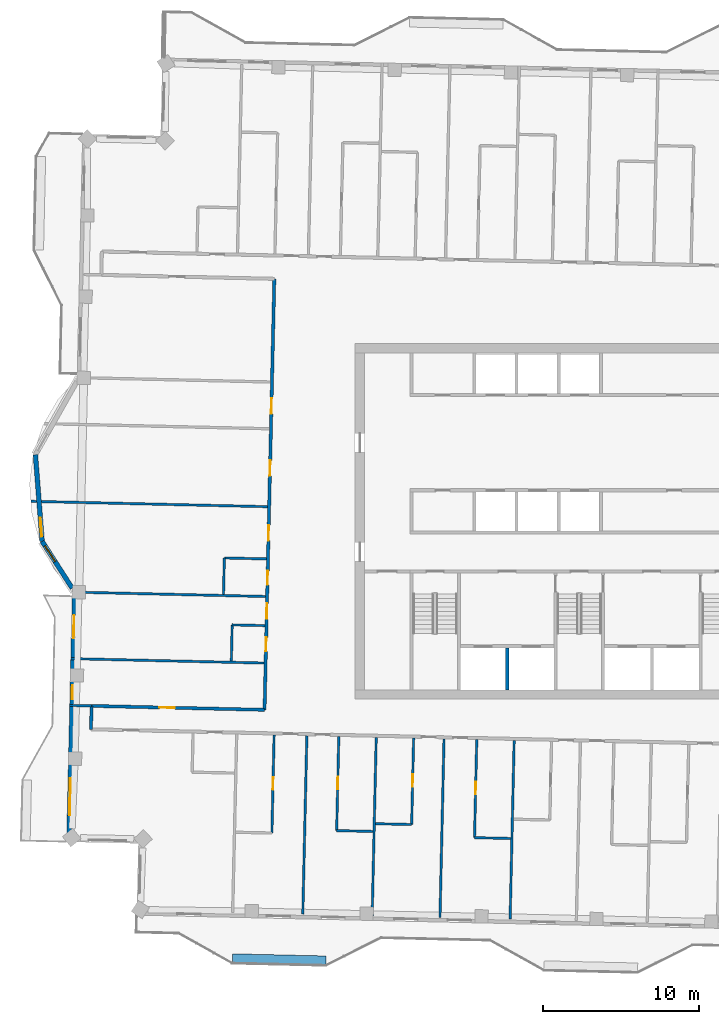
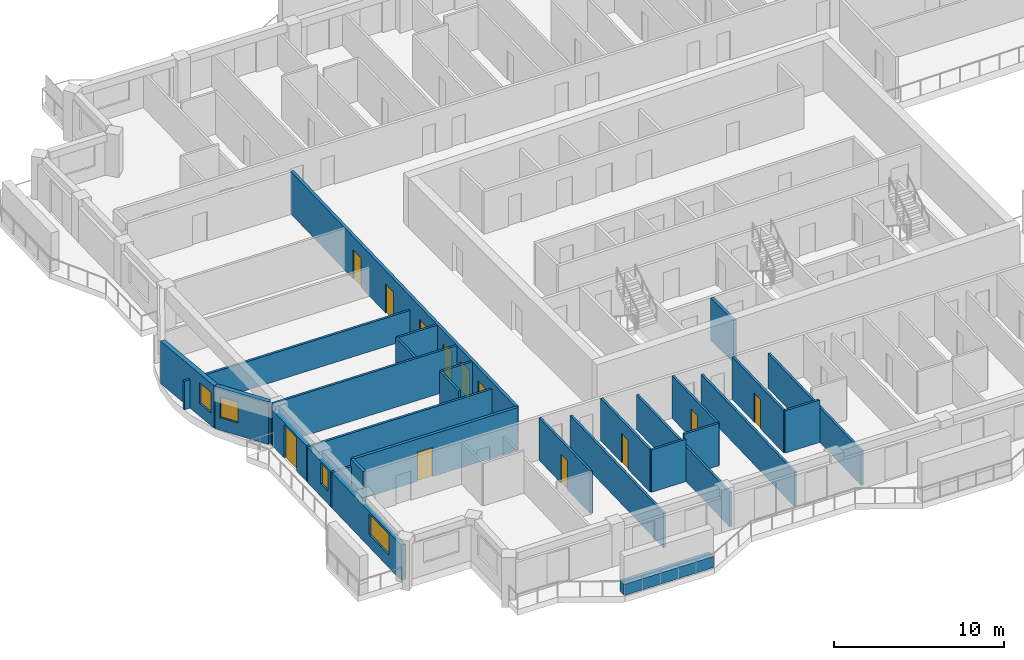
# One storey, part 4 of 15: 27 walls, 12 doors, 4 windows, 16 openings.
"""IFC4 building model written with IfcOpenShell, lengths in metres."""

from ifc_helpers import new_model, si_unit, direction, frame, frame_2d, origin, place, context, subcontext, project, spatial, rectangle, extrude, material, layer, layer_set, type_object, element, fill, save


model = new_model("IFC4")

# Units and contexts
model_context = context("Model", 3, precision=1e-05, world=origin(), true_north=direction((0.0, 1.0)))
body_context = subcontext(model_context, "Body", "Model", "MODEL_VIEW")
ifc_project = project(units=[si_unit("LENGTHUNIT", "METRE"), si_unit("AREAUNIT", "SQUARE_METRE"), si_unit("VOLUMEUNIT", "CUBIC_METRE"), si_unit("PLANEANGLEUNIT", "RADIAN"), si_unit("MASSUNIT", "GRAM", prefix="KILO")], contexts=[model_context])

# Site, building, storey
site_placement = place(None, origin())
site = spatial("IfcSite", under=ifc_project, at=site_placement, CompositionType="ELEMENT")
building_placement = place(site_placement, origin())
building = spatial("IfcBuilding", under=site, at=building_placement, Name="Mangrove Gate Tower", CompositionType="ELEMENT")
storey_placement = place(building_placement, frame((0.0, 0.0, 316.89990234375)))
storey = spatial("IfcBuildingStorey", under=building, at=storey_placement, Name="L81", CompositionType="ELEMENT", Elevation=316.89990234375)

# Walls
ifc_material_1 = material(Name="Concrete C50/60", Category="concrete")
ifc_layer_1 = layer(ifc_material_1, 0.199951171875)
ifc_layer_set_1 = layer_set([ifc_layer_1], Name="Core shaft wall 200 C50/60")
wall_type_1 = type_object("IfcWallType", Name="Core shaft wall 200 C50/60", PredefinedType="SHEAR", material=ifc_layer_set_1)
wall_1_placement = place(storey_placement, frame((-4.64990234375, -10.800048828125, 0.0), z_axis=(0.0, 0.0, 1.0), x_axis=(0.0, 1.0, 0.0)))
element("IfcWall", 1, at=wall_1_placement, inside=storey, type_object=wall_type_1, Name="WALL-L81-CORE-16", PredefinedType="SHEAR", context=body_context, shape_type="SweptSolid", body=[
    extrude(rectangle(XDim=2.699951171875, YDim=0.199951171875, at=frame_2d((1.35009765625, 0.0))), origin(), (0.0, 0.0, 1.0), 3.050048828125),
])
ifc_material_2 = material(Name="Gypsum board on steel stud, EI 60", Category="steel")
ifc_layer_2 = layer(ifc_material_2, 0.199951171875)
ifc_layer_set_2 = layer_set([ifc_layer_2], Name="Corridor wall EI 60")
wall_type_2 = type_object("IfcWallType", Name="Corridor wall EI 60", PredefinedType="PARTITIONING", material=ifc_layer_set_2)
wall_2_placement = place(storey_placement, frame((-31.346923828125, -13.3291015625, 0.0), z_axis=(0.0, 0.0, 1.0), x_axis=(0.022617910375, 0.999744182344, 0.0)))
element("IfcWall", 2, at=wall_2_placement, inside=storey, type_object=wall_type_2, Name="WALL-L81-032", PredefinedType="PARTITIONING", context=body_context, shape_type="SweptSolid", body=[
    extrude(rectangle(XDim=1.50048828125, YDim=0.199951171875, at=frame_2d((0.750244140625, 0.0))), origin(), (0.0, 0.0, 1.0), 3.050048828125),
])

# Wall, opening, door
wall_3_placement = place(storey_placement, frame((-31.31298828125, -11.8291015625, 0.0), z_axis=(0.0, 0.0, 1.0), x_axis=(0.999742346277, -0.022698921993, 0.0)))
wall_3 = element("IfcWall", 3, at=wall_3_placement, inside=storey, type_object=wall_type_2, Name="WALL-L81-035", PredefinedType="PARTITIONING", context=body_context, shape_type="SweptSolid", body=[
    extrude(rectangle(XDim=11.099853515625, YDim=0.199951171875, at=frame_2d((5.5498046875, 0.0))), origin(), (0.0, 0.0, 1.0), 3.050048828125),
])
opening_1_placement = place(wall_3_placement, frame((4.35009765625, 0.0, 0.0)))
opening_1 = element("IfcOpeningElement", 4, at=opening_1_placement, cuts=wall_3, Name="Opening AD", PredefinedType="OPENING", context=body_context, shape_type="SweptSolid", body=[
    extrude(rectangle(XDim=1.0, YDim=2.10009765625, at=frame_2d((0.5, 1.050048828125))), frame((0.0, 0.10986328125, 0.0), z_axis=(0.0, -1.0, 0.0), x_axis=(1.0, 0.0, 0.0)), (0.0, 0.0, 1.0), 0.219970703125),
])
ifc_material_3 = material(Name="Timber door leaf", Category="wood")
door_type_1 = type_object("IfcDoorType", Name="Amenity door 1000", OperationType="SINGLE_SWING_LEFT", PredefinedType="DOOR", material=ifc_material_3)
door_1_placement = place(opening_1_placement, origin())
door_1 = element("IfcDoor", 5, at=door_1_placement, inside=storey, type_object=door_type_1, Name="DOOR-L81-STU-c5b", OperationType="SINGLE_SWING_RIGHT", OverallHeight=2.10009765625, OverallWidth=1.0, PredefinedType="DOOR", context=body_context, shape_type="SweptSolid", body=[
    extrude(rectangle(XDim=1.0, YDim=2.10009765625, at=frame_2d((0.5, 1.050048828125))), frame((0.0, 0.02490234375, 0.0), z_axis=(0.0, -1.0, 0.0), x_axis=(1.0, 0.0, 0.0)), (0.0, 0.0, 1.0), 0.050048828125),
])
fill(opening_1, door_1)

# Wall, openings, doors
wall_4_placement = place(storey_placement, frame((-20.216064453125, -12.0810546875, 0.0), z_axis=(0.0, 0.0, 1.0), x_axis=(0.02267447203, 0.999742901109, 0.0)))
wall_4 = element("IfcWall", 6, at=wall_4_placement, inside=storey, type_object=wall_type_2, Name="WALL-L81-036", PredefinedType="PARTITIONING", context=body_context, shape_type="SweptSolid", body=[
    extrude(rectangle(XDim=27.650146484375, YDim=0.199951171875, at=frame_2d((13.8251953125, 0.0))), origin(), (0.0, 0.0, 1.0), 3.050048828125),
])
opening_2_placement = place(wall_4_placement, frame((18.987060546875, 0.0, 0.0)))
opening_2 = element("IfcOpeningElement", 7, at=opening_2_placement, cuts=wall_4, Name="Opening AD", PredefinedType="OPENING", context=body_context, shape_type="SweptSolid", body=[
    extrude(rectangle(XDim=1.0, YDim=2.10009765625, at=frame_2d((0.5, 1.050048828125))), frame((0.0, 0.10986328125, 0.0), z_axis=(0.0, -1.0, 0.0), x_axis=(1.0, 0.0, 0.0)), (0.0, 0.0, 1.0), 0.219970703125),
])
opening_3_placement = place(wall_4_placement, frame((15.0048828125, 0.0, 0.0)))
opening_3 = element("IfcOpeningElement", 8, at=opening_3_placement, cuts=wall_4, Name="Opening AD", PredefinedType="OPENING", context=body_context, shape_type="SweptSolid", body=[
    extrude(rectangle(XDim=1.0, YDim=2.10009765625, at=frame_2d((0.5, 1.050048828125))), frame((0.0, 0.10986328125, 0.0), z_axis=(0.0, -1.0, 0.0), x_axis=(1.0, 0.0, 0.0)), (0.0, 0.0, 1.0), 0.219970703125),
])
opening_4_placement = place(wall_4_placement, frame((10.85009765625, 0.0, 0.0)))
opening_4 = element("IfcOpeningElement", 9, at=opening_4_placement, cuts=wall_4, Name="Opening AD", PredefinedType="OPENING", context=body_context, shape_type="SweptSolid", body=[
    extrude(rectangle(XDim=1.0, YDim=2.10009765625, at=frame_2d((0.5, 1.050048828125))), frame((0.0, 0.10986328125, 0.0), z_axis=(0.0, -1.0, 0.0), x_axis=(1.0, 0.0, 0.0)), (0.0, 0.0, 1.0), 0.219970703125),
])
opening_5_placement = place(wall_4_placement, frame((8.02490234375, 0.0, 0.0)))
opening_5 = element("IfcOpeningElement", 10, at=opening_5_placement, cuts=wall_4, Name="Opening SD", PredefinedType="OPENING", context=body_context, shape_type="SweptSolid", body=[
    extrude(rectangle(XDim=0.89990234375, YDim=2.10009765625, at=frame_2d((0.449951171875, 1.050048828125))), frame((0.0, 0.10986328125, 0.0), z_axis=(0.0, -1.0, 0.0), x_axis=(1.0, 0.0, 0.0)), (0.0, 0.0, 1.0), 0.219970703125),
])
opening_6_placement = place(wall_4_placement, frame((5.8369140625, 0.0, 0.0)))
opening_6 = element("IfcOpeningElement", 11, at=opening_6_placement, cuts=wall_4, Name="Opening AD", PredefinedType="OPENING", context=body_context, shape_type="SweptSolid", body=[
    extrude(rectangle(XDim=1.0, YDim=2.10009765625, at=frame_2d((0.5, 1.050048828125))), frame((0.0, 0.10986328125, 0.0), z_axis=(0.0, -1.0, 0.0), x_axis=(1.0, 0.0, 0.0)), (0.0, 0.0, 1.0), 0.219970703125),
])
opening_7_placement = place(wall_4_placement, frame((3.75, 0.0, 0.0)))
opening_7 = element("IfcOpeningElement", 12, at=opening_7_placement, cuts=wall_4, Name="Opening SD", PredefinedType="OPENING", context=body_context, shape_type="SweptSolid", body=[
    extrude(rectangle(XDim=0.89990234375, YDim=2.10009765625, at=frame_2d((0.449951171875, 1.050048828125))), frame((0.0, 0.10986328125, 0.0), z_axis=(0.0, -1.0, 0.0), x_axis=(1.0, 0.0, 0.0)), (0.0, 0.0, 1.0), 0.219970703125),
])
door_2_placement = place(opening_2_placement, origin())
door_2 = element("IfcDoor", 13, at=door_2_placement, inside=storey, type_object=door_type_1, Name="DOOR-L81-STU-c5a", OperationType="SINGLE_SWING_RIGHT", OverallHeight=2.10009765625, OverallWidth=1.0, PredefinedType="DOOR", context=body_context, shape_type="SweptSolid", body=[
    extrude(rectangle(XDim=1.0, YDim=2.10009765625, at=frame_2d((0.5, 1.050048828125))), frame((0.0, 0.02490234375, 0.0), z_axis=(0.0, -1.0, 0.0), x_axis=(1.0, 0.0, 0.0)), (0.0, 0.0, 1.0), 0.050048828125),
])
fill(opening_2, door_2)
door_3_placement = place(opening_3_placement, origin())
door_3 = element("IfcDoor", 14, at=door_3_placement, inside=storey, type_object=door_type_1, Name="DOOR-L81-GAM-c5a", OperationType="SINGLE_SWING_LEFT", OverallHeight=2.10009765625, OverallWidth=1.0, PredefinedType="DOOR", context=body_context, shape_type="SweptSolid", body=[
    extrude(rectangle(XDim=1.0, YDim=2.10009765625, at=frame_2d((0.5, 1.050048828125))), frame((0.0, 0.02490234375, 0.0), z_axis=(0.0, -1.0, 0.0), x_axis=(1.0, 0.0, 0.0)), (0.0, 0.0, 1.0), 0.050048828125),
])
fill(opening_3, door_3)
door_4_placement = place(opening_4_placement, origin())
door_4 = element("IfcDoor", 15, at=door_4_placement, inside=storey, type_object=door_type_1, Name="DOOR-L81-GAM-c5b", OperationType="SINGLE_SWING_RIGHT", OverallHeight=2.10009765625, OverallWidth=1.0, PredefinedType="DOOR", context=body_context, shape_type="SweptSolid", body=[
    extrude(rectangle(XDim=1.0, YDim=2.10009765625, at=frame_2d((0.5, 1.050048828125))), frame((0.0, 0.02490234375, 0.0), z_axis=(0.0, -1.0, 0.0), x_axis=(1.0, 0.0, 0.0)), (0.0, 0.0, 1.0), 0.050048828125),
])
fill(opening_4, door_4)
door_5_placement = place(opening_6_placement, origin())
door_5 = element("IfcDoor", 16, at=door_5_placement, inside=storey, type_object=door_type_1, Name="DOOR-L81-LNG-c5c", OperationType="SINGLE_SWING_LEFT", OverallHeight=2.10009765625, OverallWidth=1.0, PredefinedType="DOOR", context=body_context, shape_type="SweptSolid", body=[
    extrude(rectangle(XDim=1.0, YDim=2.10009765625, at=frame_2d((0.5, 1.050048828125))), frame((0.0, 0.02490234375, 0.0), z_axis=(0.0, -1.0, 0.0), x_axis=(1.0, 0.0, 0.0)), (0.0, 0.0, 1.0), 0.050048828125),
])
fill(opening_6, door_5)
ifc_material_4 = material(Name="Timber door leaf", Category="wood")
door_type_2 = type_object("IfcDoorType", Name="Service room door 900", OperationType="SINGLE_SWING_LEFT", PredefinedType="DOOR", material=ifc_material_4)
door_6_placement = place(opening_5_placement, origin())
door_6 = element("IfcDoor", 17, at=door_6_placement, inside=storey, type_object=door_type_2, Name="DOOR-L81-WC-c5a", OperationType="SINGLE_SWING_LEFT", OverallHeight=2.10009765625, OverallWidth=0.89990234375, PredefinedType="DOOR", context=body_context, shape_type="SweptSolid", body=[
    extrude(rectangle(XDim=0.89990234375, YDim=2.10009765625, at=frame_2d((0.449951171875, 1.050048828125))), frame((0.0, 0.02490234375, 0.0), z_axis=(0.0, -1.0, 0.0), x_axis=(1.0, 0.0, 0.0)), (0.0, 0.0, 1.0), 0.050048828125),
])
fill(opening_5, door_6)
door_7_placement = place(opening_7_placement, origin())
door_7 = element("IfcDoor", 18, at=door_7_placement, inside=storey, type_object=door_type_2, Name="DOOR-L81-LIN-c5a", OperationType="SINGLE_SWING_RIGHT", OverallHeight=2.10009765625, OverallWidth=0.89990234375, PredefinedType="DOOR", context=body_context, shape_type="SweptSolid", body=[
    extrude(rectangle(XDim=0.89990234375, YDim=2.10009765625, at=frame_2d((0.449951171875, 1.050048828125))), frame((0.0, 0.02490234375, 0.0), z_axis=(0.0, -1.0, 0.0), x_axis=(1.0, 0.0, 0.0)), (0.0, 0.0, 1.0), 0.050048828125),
])
fill(opening_7, door_7)

# Wall, opening, window
ifc_material_5 = material(Name="Limestone", Category="masonry")
ifc_layer_3 = layer(ifc_material_5, 0.0400390625, Name="Limestone cladding")
ifc_material_6 = material(Name="Ventilated air gap")
ifc_layer_4 = layer(ifc_material_6, 0.0400390625, Name="Ventilated cavity")
ifc_material_7 = material(Name="Mineral wool insulation")
ifc_layer_5 = layer(ifc_material_7, 0.06005859375, Name="Insulation")
ifc_material_8 = material(Name="Breather membrane")
ifc_layer_6 = layer(ifc_material_8, 0.001953125, Name="Breather membrane")
ifc_material_9 = material(Name="Concrete C20/25 blockwork", Category="masonry")
ifc_layer_7 = layer(ifc_material_9, 0.14990234375, Name="Blockwork backing wall")
ifc_material_10 = material(Name="Gypsum plaster")
ifc_layer_8 = layer(ifc_material_10, 0.008056640625, Name="Internal plaster")
ifc_layer_set_3 = layer_set([ifc_layer_3, ifc_layer_4, ifc_layer_5, ifc_layer_6, ifc_layer_7, ifc_layer_8], Name="External wall 300 limestone cladding")
wall_type_3 = type_object("IfcWallType", Name="External wall 300 limestone cladding", PredefinedType="SOLIDWALL", material=ifc_layer_set_3)
wall_5_placement = place(storey_placement, frame((-34.910888671875, 4.280029296875, 0.0), z_axis=(0.0, 0.0, 1.0), x_axis=(0.077135284219, -0.997020635658, 0.0)))
wall_5 = element("IfcWall", 19, at=wall_5_placement, inside=storey, type_object=wall_type_3, Name="WALL-L81-W9f2", PredefinedType="SOLIDWALL", context=body_context, shape_type="SweptSolid", body=[
    extrude(rectangle(XDim=5.57373046875, YDim=0.300048828125, at=frame_2d((2.786865234375, 0.0))), origin(), (0.0, 0.0, 1.0), 3.050048828125),
])
opening_8_placement = place(wall_5_placement, frame((4.05810546875, 0.0, 0.89990234375)))
opening_8 = element("IfcOpeningElement", 20, at=opening_8_placement, cuts=wall_5, Name="Opening W1", PredefinedType="OPENING", context=body_context, shape_type="SweptSolid", body=[
    extrude(rectangle(XDim=1.199951171875, YDim=1.5, at=frame_2d((0.60009765625, 0.75))), frame((0.0, 0.159912109375, 0.0), z_axis=(0.0, -1.0, 0.0), x_axis=(1.0, 0.0, 0.0)), (0.0, 0.0, 1.0), 0.320068359375),
])
ifc_material_11 = material(Name="Aluminium frame with double-glazed low-e glass", Category="aluminium")
window_type_1 = type_object("IfcWindowType", Name="Side lite 1200x1500", PartitioningType="SINGLE_PANEL", PredefinedType="WINDOW", material=ifc_material_11)
window_1_placement = place(opening_8_placement, origin())
window_1 = element("IfcWindow", 21, at=window_1_placement, inside=storey, type_object=window_type_1, Name="WIN-L81-W9f2", OverallHeight=1.5, OverallWidth=1.199951171875, PartitioningType="SINGLE_PANEL", PredefinedType="WINDOW", context=body_context, shape_type="SweptSolid", body=[
    extrude(rectangle(XDim=1.199951171875, YDim=1.5, at=frame_2d((0.60009765625, 0.75))), frame((0.0, 0.030029296875, 0.0), z_axis=(0.0, -1.0, 0.0), x_axis=(1.0, 0.0, 0.0)), (0.0, 0.0, 1.0), 0.06005859375),
])
fill(opening_8, window_1)

wall_6_placement = place(storey_placement, frame((-34.48095703125, -1.277099609375, 0.0), z_axis=(0.0, 0.0, 1.0), x_axis=(0.540460234606, -0.841369558999, 0.0)))
wall_6 = element("IfcWall", 22, at=wall_6_placement, inside=storey, type_object=wall_type_3, Name="WALL-L81-W9f3", PredefinedType="SOLIDWALL", context=body_context, shape_type="SweptSolid", body=[
    extrude(rectangle(XDim=3.569091796875, YDim=0.300048828125, at=frame_2d((1.78466796875, 0.0))), origin(), (0.0, 0.0, 1.0), 3.050048828125),
])
opening_9_placement = place(wall_6_placement, frame((0.337890625, 0.0, 0.89990234375)))
opening_9 = element("IfcOpeningElement", 23, at=opening_9_placement, cuts=wall_6, Name="Opening W1", PredefinedType="OPENING", context=body_context, shape_type="SweptSolid", body=[
    extrude(rectangle(XDim=1.199951171875, YDim=1.5, at=frame_2d((0.60009765625, 0.75))), frame((0.0, 0.159912109375, 0.0), z_axis=(0.0, -1.0, 0.0), x_axis=(1.0, 0.0, 0.0)), (0.0, 0.0, 1.0), 0.320068359375),
])
window_2_placement = place(opening_9_placement, origin())
window_2 = element("IfcWindow", 24, at=window_2_placement, inside=storey, type_object=window_type_1, Name="WIN-L81-W9f3", OverallHeight=1.5, OverallWidth=1.199951171875, PartitioningType="SINGLE_PANEL", PredefinedType="WINDOW", context=body_context, shape_type="SweptSolid", body=[
    extrude(rectangle(XDim=1.199951171875, YDim=1.5, at=frame_2d((0.60009765625, 0.75))), frame((0.0, 0.030029296875, 0.0), z_axis=(0.0, -1.0, 0.0), x_axis=(1.0, 0.0, 0.0)), (0.0, 0.0, 1.0), 0.06005859375),
])
fill(opening_9, window_2)

# Wall, openings, door, windows
wall_7_placement = place(storey_placement, frame((-32.387939453125, -4.10400390625, 0.0), z_axis=(0.0, 0.0, 1.0), x_axis=(-0.02270779533, -0.999742144771, 0.0)))
wall_7 = element("IfcWall", 25, at=wall_7_placement, inside=storey, type_object=wall_type_3, Name="WALL-L81-W10s1", PredefinedType="SOLIDWALL", context=body_context, shape_type="SweptSolid", body=[
    extrude(rectangle(XDim=16.299072265625, YDim=0.300048828125, at=frame_2d((8.1494140625, 0.0))), origin(), (0.0, 0.0, 1.0), 2.550048828125),
])
opening_10_placement = place(wall_7_placement, frame((1.89990234375, 0.0, 0.0)))
opening_10 = element("IfcOpeningElement", 26, at=opening_10_placement, cuts=wall_7, Name="Opening BD1", PredefinedType="OPENING", context=body_context, shape_type="SweptSolid", body=[
    extrude(rectangle(XDim=1.5, YDim=2.39990234375, at=frame_2d((0.75, 1.199951171875))), frame((0.0, 0.159912109375, 0.0), z_axis=(0.0, -1.0, 0.0), x_axis=(1.0, 0.0, 0.0)), (0.0, 0.0, 1.0), 0.320068359375),
])
opening_11_placement = place(wall_7_placement, frame((6.39599609375, 0.0, 0.89990234375)))
opening_11 = element("IfcOpeningElement", 27, at=opening_11_placement, cuts=wall_7, Name="Opening W5", PredefinedType="OPENING", context=body_context, shape_type="SweptSolid", body=[
    extrude(rectangle(XDim=0.89990234375, YDim=1.5, at=frame_2d((0.449951171875, 0.75))), frame((0.0, 0.159912109375, 0.0), z_axis=(0.0, -1.0, 0.0), x_axis=(1.0, 0.0, 0.0)), (0.0, 0.0, 1.0), 0.320068359375),
])
opening_12_placement = place(wall_7_placement, frame((12.35302734375, 0.0, 0.89990234375)))
opening_12 = element("IfcOpeningElement", 28, at=opening_12_placement, cuts=wall_7, Name="Opening W2", PredefinedType="OPENING", context=body_context, shape_type="SweptSolid", body=[
    extrude(rectangle(XDim=2.39990234375, YDim=1.5, at=frame_2d((1.199951171875, 0.75))), frame((0.0, 0.159912109375, 0.0), z_axis=(0.0, -1.0, 0.0), x_axis=(1.0, 0.0, 0.0)), (0.0, 0.0, 1.0), 0.320068359375),
])
ifc_material_12 = material(Name="Aluminium frame with laminated clear glass", Category="aluminium")
door_type_3 = type_object("IfcDoorType", Name="Balcony sliding door 1500x2400", OperationType="SLIDING_TO_LEFT", PredefinedType="DOOR", material=ifc_material_12)
door_8_placement = place(opening_10_placement, origin())
door_8 = element("IfcDoor", 29, at=door_8_placement, inside=storey, type_object=door_type_3, Name="DOOR-L81-W10-1", OperationType="SLIDING_TO_LEFT", OverallHeight=2.39990234375, OverallWidth=1.5, PredefinedType="DOOR", context=body_context, shape_type="SweptSolid", body=[
    extrude(rectangle(XDim=1.5, YDim=2.39990234375, at=frame_2d((0.75, 1.199951171875))), frame((0.0, 0.02490234375, 0.0), z_axis=(0.0, -1.0, 0.0), x_axis=(1.0, 0.0, 0.0)), (0.0, 0.0, 1.0), 0.050048828125),
])
fill(opening_10, door_8)
ifc_material_13 = material(Name="Aluminium frame with double-glazed low-e glass", Category="aluminium")
window_type_2 = type_object("IfcWindowType", Name="Corner room window 2400x1500", PartitioningType="DOUBLE_PANEL_VERTICAL", PredefinedType="WINDOW", material=ifc_material_13)
window_3_placement = place(opening_12_placement, origin())
window_3 = element("IfcWindow", 30, at=window_3_placement, inside=storey, type_object=window_type_2, Name="WIN-L81-W10-3", OverallHeight=1.5, OverallWidth=2.39990234375, PartitioningType="DOUBLE_PANEL_VERTICAL", PredefinedType="WINDOW", context=body_context, shape_type="SweptSolid", body=[
    extrude(rectangle(XDim=2.39990234375, YDim=1.5, at=frame_2d((1.199951171875, 0.75))), frame((0.0, 0.030029296875, 0.0), z_axis=(0.0, -1.0, 0.0), x_axis=(1.0, 0.0, 0.0)), (0.0, 0.0, 1.0), 0.06005859375),
])
fill(opening_12, window_3)
ifc_material_14 = material(Name="Aluminium frame with double-glazed low-e glass", Category="aluminium")
window_type_3 = type_object("IfcWindowType", Name="Narrow window 900x1500", PartitioningType="SINGLE_PANEL", PredefinedType="WINDOW", material=ifc_material_14)
window_4_placement = place(opening_11_placement, origin())
window_4 = element("IfcWindow", 31, at=window_4_placement, inside=storey, type_object=window_type_3, Name="WIN-L81-W10-2", OverallHeight=1.5, OverallWidth=0.89990234375, PartitioningType="SINGLE_PANEL", PredefinedType="WINDOW", context=body_context, shape_type="SweptSolid", body=[
    extrude(rectangle(XDim=0.89990234375, YDim=1.5, at=frame_2d((0.449951171875, 0.75))), frame((0.0, 0.030029296875, 0.0), z_axis=(0.0, -1.0, 0.0), x_axis=(1.0, 0.0, 0.0)), (0.0, 0.0, 1.0), 0.06005859375),
])
fill(opening_11, window_4)

# Walls
ifc_material_15 = material(Name="Gypsum board on steel stud, EI 60", Category="steel")
ifc_layer_9 = layer(ifc_material_15, 0.14990234375)
ifc_layer_set_4 = layer_set([ifc_layer_9], Name="Party wall 150 EI 60")
wall_type_4 = type_object("IfcWallType", Name="Party wall 150 EI 60", PredefinedType="PARTITIONING", material=ifc_layer_set_4)
for number, where, z_axis, x_axis, name in (
    (32, (-17.762939453125, -25.18994140625, 0.0), (0.0, 0.0, 1.0), (0.022708327922, 0.999742132674, 0.0), "WALL-L81-002"),
    (33, (-13.31396484375, -25.291015625, 0.0), (0.0, 0.0, 1.0), (0.022708327922, 0.999742132674, 0.0), "WALL-L81-003"),
):
    element("IfcWall", number, at=place(storey_placement, frame(where, z_axis=z_axis, x_axis=x_axis)), inside=storey, type_object=wall_type_4, Name=name, PredefinedType="PARTITIONING", context=body_context, shape_type="SweptSolid", body=[
        extrude(rectangle(XDim=11.449951171875, YDim=0.14990234375, at=frame_2d((5.72509765625, 0.0))), origin(), (0.0, 0.0, 1.0), 2.5),
    ])
wall_8_placement = place(storey_placement, frame((-8.965087890625, -25.389892578125, 0.0), z_axis=(0.0, 0.0, 1.0), x_axis=(0.022623564427, 0.999744054412, 0.0)))
element("IfcWall", 34, at=wall_8_placement, inside=storey, type_object=wall_type_4, Name="WALL-L81-004", PredefinedType="PARTITIONING", context=body_context, shape_type="SweptSolid", body=[
    extrude(rectangle(XDim=11.44970703125, YDim=0.14990234375, at=frame_2d((5.724853515625, 0.0))), origin(), (0.0, 0.0, 1.0), 2.5),
])
wall_9_placement = place(storey_placement, frame((-4.467041015625, -25.491943359375, 0.0), z_axis=(0.0, 0.0, 1.0), x_axis=(0.022708327922, 0.999742132674, 0.0)))
element("IfcWall", 35, at=wall_9_placement, inside=storey, type_object=wall_type_4, Name="WALL-L81-005", PredefinedType="PARTITIONING", context=body_context, shape_type="SweptSolid", body=[
    extrude(rectangle(XDim=11.449951171875, YDim=0.14990234375, at=frame_2d((5.72509765625, 0.0))), origin(), (0.0, 0.0, 1.0), 2.5),
])

# Wall, opening, door
wall_10_placement = place(storey_placement, frame((-19.7451171875, -19.98388671875, 0.0), z_axis=(0.0, 0.0, 1.0), x_axis=(0.022591786368, 0.999744773024, 0.0)))
wall_10 = element("IfcWall", 36, at=wall_10_placement, inside=storey, type_object=wall_type_4, Name="WALL-L81-014", PredefinedType="PARTITIONING", context=body_context, shape_type="SweptSolid", body=[
    extrude(rectangle(XDim=6.28955078125, YDim=0.14990234375, at=frame_2d((3.144775390625, 0.0))), origin(), (0.0, 0.0, 1.0), 3.050048828125),
])
opening_13_placement = place(wall_10_placement, frame((2.794921875, 0.0, 0.0)))
opening_13 = element("IfcOpeningElement", 37, at=opening_13_placement, cuts=wall_10, Name="Opening ED", PredefinedType="OPENING", context=body_context, shape_type="SweptSolid", body=[
    extrude(rectangle(XDim=0.800048828125, YDim=2.10009765625, at=frame_2d((0.39990234375, 1.050048828125))), frame((0.0, 0.0849609375, 0.0), z_axis=(0.0, -1.0, 0.0), x_axis=(1.0, 0.0, 0.0)), (0.0, 0.0, 1.0), 0.169921875),
])
ifc_material_16 = material(Name="Timber door leaf", Category="wood")
door_type_4 = type_object("IfcDoorType", Name="En-suite door 800", OperationType="SINGLE_SWING_LEFT", PredefinedType="DOOR", material=ifc_material_16)
door_9_placement = place(opening_13_placement, origin())
door_9 = element("IfcDoor", 38, at=door_9_placement, inside=storey, type_object=door_type_4, Name="DOOR-L81-ENS-c101", OperationType="SINGLE_SWING_LEFT", OverallHeight=2.10009765625, OverallWidth=0.800048828125, PredefinedType="DOOR", context=body_context, shape_type="SweptSolid", body=[
    extrude(rectangle(XDim=0.800048828125, YDim=2.10009765625, at=frame_2d((0.39990234375, 1.050048828125))), frame((0.0, 0.02490234375, 0.0), z_axis=(0.0, -1.0, 0.0), x_axis=(1.0, 0.0, 0.0)), (0.0, 0.0, 1.0), 0.050048828125),
])
fill(opening_13, door_9)

# Wall
wall_11_placement = place(storey_placement, frame((-6.7490234375, -20.279052734375, 0.0), z_axis=(0.0, 0.0, 1.0), x_axis=(0.999740478815, -0.022781023197, 0.0)))
element("IfcWall", 39, at=wall_11_placement, inside=storey, type_object=wall_type_4, Name="WALL-L81-015", PredefinedType="PARTITIONING", context=body_context, shape_type="SweptSolid", body=[
    extrude(rectangle(XDim=2.325439453125, YDim=0.14990234375, at=frame_2d((1.16259765625, 0.0))), origin(), (0.0, 0.0, 1.0), 3.050048828125),
])

# Wall, opening, door
wall_12_placement = place(storey_placement, frame((-6.7490234375, -20.279052734375, 0.0), z_axis=(0.0, 0.0, 1.0), x_axis=(0.02274256342, 0.999741354456, 0.0)))
wall_12 = element("IfcWall", 40, at=wall_12_placement, inside=storey, type_object=wall_type_4, Name="WALL-L81-016", PredefinedType="PARTITIONING", context=body_context, shape_type="SweptSolid", body=[
    extrude(rectangle(XDim=6.290771484375, YDim=0.14990234375, at=frame_2d((3.1455078125, 0.0))), origin(), (0.0, 0.0, 1.0), 3.050048828125),
])
opening_14_placement = place(wall_12_placement, frame((2.794921875, 0.0, 0.0)))
opening_14 = element("IfcOpeningElement", 41, at=opening_14_placement, cuts=wall_12, Name="Opening ED", PredefinedType="OPENING", context=body_context, shape_type="SweptSolid", body=[
    extrude(rectangle(XDim=0.800048828125, YDim=2.10009765625, at=frame_2d((0.39990234375, 1.050048828125))), frame((0.0, 0.0849609375, 0.0), z_axis=(0.0, -1.0, 0.0), x_axis=(1.0, 0.0, 0.0)), (0.0, 0.0, 1.0), 0.169921875),
])
door_10_placement = place(opening_14_placement, origin())
door_10 = element("IfcDoor", 42, at=door_10_placement, inside=storey, type_object=door_type_4, Name="DOOR-L81-ENS-c104", OperationType="SINGLE_SWING_RIGHT", OverallHeight=2.10009765625, OverallWidth=0.800048828125, PredefinedType="DOOR", context=body_context, shape_type="SweptSolid", body=[
    extrude(rectangle(XDim=0.800048828125, YDim=2.10009765625, at=frame_2d((0.39990234375, 1.050048828125))), frame((0.0, 0.02490234375, 0.0), z_axis=(0.0, -1.0, 0.0), x_axis=(1.0, 0.0, 0.0)), (0.0, 0.0, 1.0), 0.050048828125),
])
fill(opening_14, door_10)

# Wall
wall_13_placement = place(storey_placement, frame((-15.591064453125, -19.827880859375, 0.0), z_axis=(0.0, 0.0, 1.0), x_axis=(0.999738082346, -0.022885950011, 0.0)))
element("IfcWall", 43, at=wall_13_placement, inside=storey, type_object=wall_type_4, Name="WALL-L81-021", PredefinedType="PARTITIONING", context=body_context, shape_type="SweptSolid", body=[
    extrude(rectangle(XDim=2.325439453125, YDim=0.14990234375, at=frame_2d((1.16259765625, 0.0))), origin(), (0.0, 0.0, 1.0), 3.050048828125),
])

# Wall, opening, door
wall_14_placement = place(storey_placement, frame((-15.591064453125, -19.827880859375, 0.0), z_axis=(0.0, 0.0, 1.0), x_axis=(0.022678246714, 0.999742815491, 0.0)))
wall_14 = element("IfcWall", 44, at=wall_14_placement, inside=storey, type_object=wall_type_4, Name="WALL-L81-022", PredefinedType="PARTITIONING", context=body_context, shape_type="SweptSolid", body=[
    extrude(rectangle(XDim=6.039306640625, YDim=0.14990234375, at=frame_2d((3.01953125, 0.0))), origin(), (0.0, 0.0, 1.0), 3.050048828125),
])
opening_15_placement = place(wall_14_placement, frame((2.669921875, 0.0, 0.0)))
opening_15 = element("IfcOpeningElement", 45, at=opening_15_placement, cuts=wall_14, Name="Opening ED", PredefinedType="OPENING", context=body_context, shape_type="SweptSolid", body=[
    extrude(rectangle(XDim=0.800048828125, YDim=2.10009765625, at=frame_2d((0.39990234375, 1.050048828125))), frame((0.0, 0.0849609375, 0.0), z_axis=(0.0, -1.0, 0.0), x_axis=(1.0, 0.0, 0.0)), (0.0, 0.0, 1.0), 0.169921875),
])
door_11_placement = place(opening_15_placement, origin())
door_11 = element("IfcDoor", 46, at=door_11_placement, inside=storey, type_object=door_type_4, Name="DOOR-L81-ENS-c102", OperationType="SINGLE_SWING_RIGHT", OverallHeight=2.10009765625, OverallWidth=0.800048828125, PredefinedType="DOOR", context=body_context, shape_type="SweptSolid", body=[
    extrude(rectangle(XDim=0.800048828125, YDim=2.10009765625, at=frame_2d((0.39990234375, 1.050048828125))), frame((0.0, 0.02490234375, 0.0), z_axis=(0.0, -1.0, 0.0), x_axis=(1.0, 0.0, 0.0)), (0.0, 0.0, 1.0), 0.050048828125),
])
fill(opening_15, door_11)

# Wall
wall_15_placement = place(storey_placement, frame((-13.10498046875, -19.384033203125, 0.0), z_axis=(0.0, 0.0, 1.0), x_axis=(0.999740260747, -0.02279059109, 0.0)))
element("IfcWall", 47, at=wall_15_placement, inside=storey, type_object=wall_type_4, Name="WALL-L81-025", PredefinedType="PARTITIONING", context=body_context, shape_type="SweptSolid", body=[
    extrude(rectangle(XDim=2.324462890625, YDim=0.14990234375, at=frame_2d((1.162109375, 0.0))), origin(), (0.0, 0.0, 1.0), 3.050048828125),
])

# Wall, opening, door
wall_16_placement = place(storey_placement, frame((-10.781005859375, -19.43701171875, 0.0), z_axis=(0.0, 0.0, 1.0), x_axis=(0.022741427977, 0.999741380285, 0.0)))
wall_16 = element("IfcWall", 48, at=wall_16_placement, inside=storey, type_object=wall_type_4, Name="WALL-L81-026", PredefinedType="PARTITIONING", context=body_context, shape_type="SweptSolid", body=[
    extrude(rectangle(XDim=5.53955078125, YDim=0.14990234375, at=frame_2d((2.769775390625, 0.0))), origin(), (0.0, 0.0, 1.0), 3.050048828125),
])
opening_16_placement = place(wall_16_placement, frame((2.419921875, 0.0, 0.0)))
opening_16 = element("IfcOpeningElement", 49, at=opening_16_placement, cuts=wall_16, Name="Opening ED", PredefinedType="OPENING", context=body_context, shape_type="SweptSolid", body=[
    extrude(rectangle(XDim=0.800048828125, YDim=2.10009765625, at=frame_2d((0.39990234375, 1.050048828125))), frame((0.0, 0.0849609375, 0.0), z_axis=(0.0, -1.0, 0.0), x_axis=(1.0, 0.0, 0.0)), (0.0, 0.0, 1.0), 0.169921875),
])
door_12_placement = place(opening_16_placement, origin())
door_12 = element("IfcDoor", 50, at=door_12_placement, inside=storey, type_object=door_type_4, Name="DOOR-L81-ENS-c103", OperationType="SINGLE_SWING_LEFT", OverallHeight=2.10009765625, OverallWidth=0.800048828125, PredefinedType="DOOR", context=body_context, shape_type="SweptSolid", body=[
    extrude(rectangle(XDim=0.800048828125, YDim=2.10009765625, at=frame_2d((0.39990234375, 1.050048828125))), frame((0.0, 0.02490234375, 0.0), z_axis=(0.0, -1.0, 0.0), x_axis=(1.0, 0.0, 0.0)), (0.0, 0.0, 1.0), 0.050048828125),
])
fill(opening_16, door_12)

# Walls
wall_17_placement = place(storey_placement, frame((-32.712890625, -11.798095703125, 0.0), z_axis=(0.0, 0.0, 1.0), x_axis=(0.999756172383, -0.022081571112, 0.0)))
element("IfcWall", 51, at=wall_17_placement, inside=storey, type_object=wall_type_4, Name="WALL-L81-034", PredefinedType="PARTITIONING", context=body_context, shape_type="SweptSolid", body=[
    extrude(rectangle(XDim=1.404052734375, YDim=0.14990234375, at=frame_2d((0.7021484375, 0.0))), origin(), (0.0, 0.0, 1.0), 2.550048828125),
])
wall_18_placement = place(storey_placement, frame((-32.64501953125, -8.798095703125, 0.0), z_axis=(0.0, 0.0, 1.0), x_axis=(0.999741408463, -0.022740189192, 0.0)))
element("IfcWall", 52, at=wall_18_placement, inside=storey, type_object=wall_type_4, Name="WALL-L81-042", PredefinedType="PARTITIONING", context=body_context, shape_type="SweptSolid", body=[
    extrude(rectangle(XDim=12.400146484375, YDim=0.14990234375, at=frame_2d((6.2001953125, 0.0))), origin(), (0.0, 0.0, 1.0), 2.550048828125),
])
wall_19_placement = place(storey_placement, frame((-22.345947265625, -8.95703125, 0.0), z_axis=(0.0, 0.0, 1.0), x_axis=(0.02279059109, 0.999740260747, 0.0)))
element("IfcWall", 53, at=wall_19_placement, inside=storey, type_object=wall_type_4, Name="WALL-L81-043", PredefinedType="PARTITIONING", context=body_context, shape_type="SweptSolid", body=[
    extrude(rectangle(XDim=2.324462890625, YDim=0.14990234375, at=frame_2d((1.162109375, 0.0))), origin(), (0.0, 0.0, 1.0), 3.050048828125),
])
wall_20_placement = place(storey_placement, frame((-22.29296875, -6.633056640625, 0.0), z_axis=(0.0, 0.0, 1.0), x_axis=(0.999750703499, -0.022327804475, 0.0)))
element("IfcWall", 54, at=wall_20_placement, inside=storey, type_object=wall_type_4, Name="WALL-L81-044", PredefinedType="PARTITIONING", context=body_context, shape_type="SweptSolid", body=[
    extrude(rectangle(XDim=2.099365234375, YDim=0.14990234375, at=frame_2d((1.0498046875, 0.0))), origin(), (0.0, 0.0, 1.0), 3.050048828125),
])
wall_21_placement = place(storey_placement, frame((-32.548095703125, -4.529052734375, 0.0), z_axis=(0.0, 0.0, 1.0), x_axis=(0.999741418644, -0.022739741597, 0.0)))
element("IfcWall", 55, at=wall_21_placement, inside=storey, type_object=wall_type_4, Name="WALL-L81-045", PredefinedType="PARTITIONING", context=body_context, shape_type="SweptSolid", body=[
    extrude(rectangle(XDim=12.400390625, YDim=0.14990234375, at=frame_2d((6.2001953125, 0.0))), origin(), (0.0, 0.0, 1.0), 3.050048828125),
])
wall_22_placement = place(storey_placement, frame((-22.84912109375, -4.669921875, 0.0), z_axis=(0.0, 0.0, 1.0), x_axis=(0.022885950011, 0.999738082346, 0.0)))
element("IfcWall", 56, at=wall_22_placement, inside=storey, type_object=wall_type_4, Name="WALL-L81-046", PredefinedType="PARTITIONING", context=body_context, shape_type="SweptSolid", body=[
    extrude(rectangle(XDim=2.325439453125, YDim=0.14990234375, at=frame_2d((1.16259765625, 0.0))), origin(), (0.0, 0.0, 1.0), 3.050048828125),
])
wall_23_placement = place(storey_placement, frame((-22.7958984375, -2.340087890625, 0.0), z_axis=(0.0, 0.0, 1.0), x_axis=(0.999746436932, -0.022518033722, 0.0)))
element("IfcWall", 57, at=wall_23_placement, inside=storey, type_object=wall_type_4, Name="WALL-L81-047", PredefinedType="PARTITIONING", context=body_context, shape_type="SweptSolid", body=[
    extrude(rectangle(XDim=2.69970703125, YDim=0.14990234375, at=frame_2d((1.349853515625, 0.0))), origin(), (0.0, 0.0, 1.0), 3.050048828125),
])
wall_24_placement = place(storey_placement, frame((-35.2041015625, 1.2919921875, 0.0), z_axis=(0.0, 0.0, 1.0), x_axis=(0.999743443088, -0.022650562973, 0.0)))
element("IfcWall", 58, at=wall_24_placement, inside=storey, type_object=wall_type_4, Name="WALL-L81-048", PredefinedType="PARTITIONING", context=body_context, shape_type="SweptSolid", body=[
    extrude(rectangle(XDim=15.18701171875, YDim=0.14990234375, at=frame_2d((7.593505859375, 0.0))), origin(), (0.0, 0.0, 1.0), 2.050048828125),
])
ifc_material_17 = material(Name="Concrete C32/40", Category="concrete")
ifc_layer_10 = layer(ifc_material_17, 0.199951171875, Name="Planter trough wall")
ifc_material_18 = material(Name="Bituminous waterproofing membrane")
ifc_layer_11 = layer(ifc_material_18, 0.0048828125, Name="Waterproofing")
ifc_material_19 = material(Name="Drainage board and gravel")
ifc_layer_12 = layer(ifc_material_19, 0.044921875, Name="Drainage layer")
ifc_material_20 = material(Name="Planting soil")
ifc_layer_13 = layer(ifc_material_20, 0.300048828125, Name="Growing medium")
ifc_layer_set_5 = layer_set([ifc_layer_10, ifc_layer_11, ifc_layer_12, ifc_layer_13], Name="Planter wall 550 C32/40")
wall_type_5 = type_object("IfcWallType", Name="Planter wall 550 C32/40", PredefinedType="USERDEFINED", material=ifc_layer_set_5)
wall_25_placement = place(storey_placement, frame((-22.278076171875, -28.0029296875, 0.0), z_axis=(0.0, 0.0, 1.0), x_axis=(0.999739392852, -0.022828630714, 0.0)))
element("IfcWall", 59, at=wall_25_placement, inside=storey, type_object=wall_type_5, Name="PLANTER L81 S0.1", ObjectType="PLANTER", PredefinedType="USERDEFINED", context=body_context, shape_type="SweptSolid", body=[
    extrude(rectangle(XDim=5.99951171875, YDim=0.550048828125, at=frame_2d((2.999755859375, 0.0))), origin(), (0.0, 0.0, 1.0), 0.800048828125),
])

save(model, "model.ifc")
